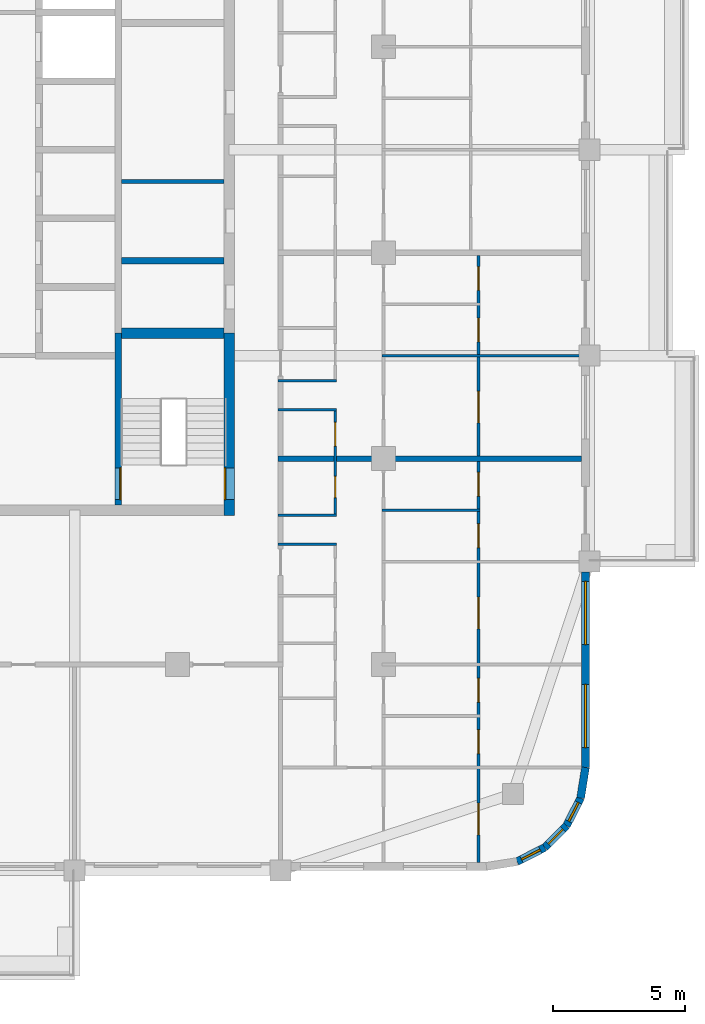
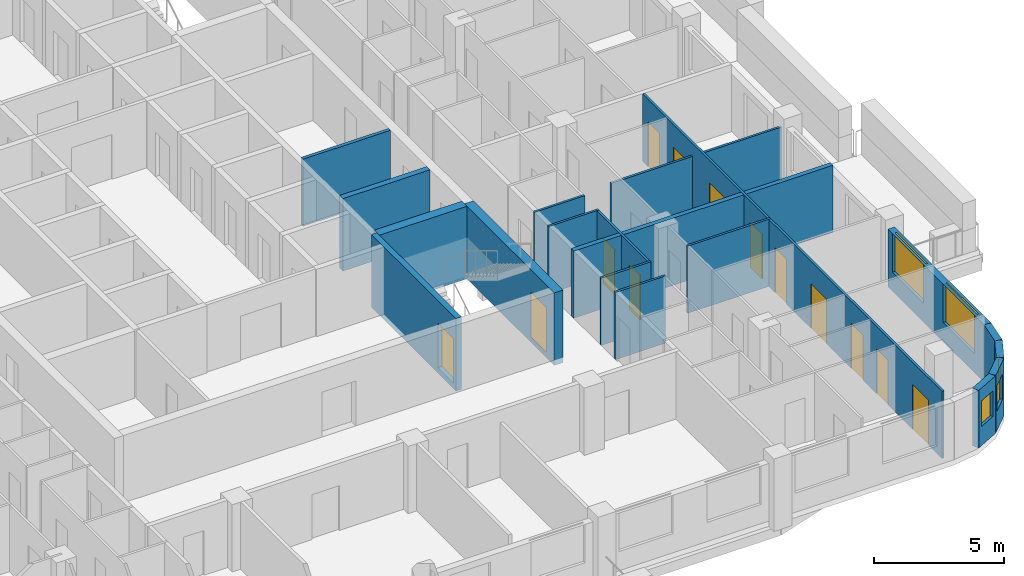
# One storey, part 6 of 16: 19 walls, 13 doors, 5 windows, 18 openings.
"""IFC4 building model written with IfcOpenShell, lengths in metres."""

from ifc_helpers import new_model, si_unit, direction, frame, frame_2d, origin, place, context, subcontext, project, spatial, rectangle, extrude, material, layer, layer_set, type_object, element, fill, save


model = new_model("IFC4")

# Units and contexts
model_context = context("Model", 3, precision=1e-05, world=origin(), true_north=direction((0.0, 1.0)))
body_context = subcontext(model_context, "Body", "Model", "MODEL_VIEW")
ifc_project = project(units=[si_unit("LENGTHUNIT", "METRE"), si_unit("AREAUNIT", "SQUARE_METRE"), si_unit("VOLUMEUNIT", "CUBIC_METRE"), si_unit("PLANEANGLEUNIT", "RADIAN"), si_unit("MASSUNIT", "GRAM", prefix="KILO")], contexts=[model_context])

# Site, building, storey
site_placement = place(None, origin())
site = spatial("IfcSite", under=ifc_project, at=site_placement, CompositionType="ELEMENT")
building_placement = place(site_placement, origin())
building = spatial("IfcBuilding", under=site, at=building_placement, Name="Ludao Terraces", CompositionType="ELEMENT")
storey_placement = place(building_placement, frame((0.0, 0.0, 217.699951171875)))
storey = spatial("IfcBuildingStorey", under=building, at=storey_placement, Name="L59", CompositionType="ELEMENT", Elevation=217.699951171875)

# Wall, opening, door
ifc_material_1 = material(Name="Concrete C50", Category="concrete")
ifc_layer_1 = layer(ifc_material_1, 0.39990234375)
ifc_layer_set_1 = layer_set([ifc_layer_1], Name="Core wall 400 C50")
wall_type_1 = type_object("IfcWallType", Name="Core wall 400 C50", PredefinedType="SOLIDWALL", material=ifc_layer_set_1)
wall_1_placement = place(storey_placement, frame((94.75, 55.050048828125, -0.25), z_axis=(0.0, 0.0, 1.0), x_axis=(0.0, 1.0, 0.0)))
wall_1 = element("IfcWall", 1, at=wall_1_placement, inside=storey, type_object=wall_type_1, Name="Core wall L59 outer-E-S3", PredefinedType="SOLIDWALL", context=body_context, shape_type="SweptSolid", body=[
    extrude(rectangle(XDim=6.89990234375, YDim=0.39990234375, at=frame_2d((3.449951171875, 0.0))), origin(), (0.0, 0.0, 1.0), 3.400146484375),
])
opening_1_placement = place(wall_1_placement, frame((0.60009765625, 0.0, 0.25)))
opening_1 = element("IfcOpeningElement", 2, at=opening_1_placement, cuts=wall_1, Name="Opening R21-039", PredefinedType="OPENING", context=body_context, shape_type="SweptSolid", body=[
    extrude(rectangle(XDim=1.199951171875, YDim=2.10009765625, at=frame_2d((0.60009765625, 1.050048828125))), frame((0.0, 0.2099609375, 0.0), z_axis=(0.0, -1.0, 0.0), x_axis=(1.0, 0.0, 0.0)), (0.0, 0.0, 1.0), 0.419921875),
])
ifc_material_2 = material(Name="Steel Q235", Category="steel")
door_type_1 = type_object("IfcDoorType", Name="INT Stair door 1200", OperationType="DOUBLE_DOOR_SINGLE_SWING", PredefinedType="DOOR", material=ifc_material_2)
door_1_placement = place(opening_1_placement, origin())
door_1 = element("IfcDoor", 3, at=door_1_placement, inside=storey, type_object=door_type_1, Name="DOOR 039", OperationType="DOUBLE_DOOR_SINGLE_SWING", OverallHeight=2.10009765625, OverallWidth=1.199951171875, PredefinedType="DOOR", context=body_context, shape_type="SweptSolid", body=[
    extrude(rectangle(XDim=1.199951171875, YDim=2.10009765625, at=frame_2d((0.60009765625, 1.050048828125))), frame((0.0, 0.18505859375, 0.0), z_axis=(0.0, -1.0, 0.0), x_axis=(1.0, 0.0, 0.0)), (0.0, 0.0, 1.0), 0.050048828125),
])
fill(opening_1, door_1)

# Wall, openings, windows
ifc_material_3 = material(Name="Granite cladding", Category="masonry")
ifc_layer_2 = layer(ifc_material_3, 0.0400390625, Category="stone")
ifc_material_4 = material(Name="Mineral wool")
ifc_layer_3 = layer(ifc_material_4, 0.06005859375)
ifc_material_5 = material(Name="Concrete C40", Category="concrete")
ifc_layer_4 = layer(ifc_material_5, 0.199951171875, Category="concrete")
ifc_layer_set_2 = layer_set([ifc_layer_2, ifc_layer_3, ifc_layer_4], Name="ENV Stone-clad wall 300")
wall_type_2 = type_object("IfcWallType", Name="ENV Stone-clad wall 300", PredefinedType="SOLIDWALL", material=ifc_layer_set_2)
wall_2_placement = place(storey_placement, frame((108.25, 45.5, 0.0), z_axis=(0.0, 0.0, 1.0), x_axis=(0.0, 1.0, 0.0)))
wall_2 = element("IfcWall", 4, at=wall_2_placement, inside=storey, type_object=wall_type_2, Name="EW-L59-E1", PredefinedType="SOLIDWALL", context=body_context, shape_type="SweptSolid", body=[
    extrude(rectangle(XDim=7.39990234375, YDim=0.300048828125, at=frame_2d((3.699951171875, 0.0))), origin(), (0.0, 0.0, 1.0), 2.699951171875),
])
opening_2_placement = place(wall_2_placement, frame((0.75, 0.0, 0.89990234375)))
opening_2 = element("IfcOpeningElement", 5, at=opening_2_placement, cuts=wall_2, Name="Opening W1", PredefinedType="OPENING", context=body_context, shape_type="SweptSolid", body=[
    extrude(rectangle(XDim=2.39990234375, YDim=1.800048828125, at=frame_2d((1.199951171875, 0.89990234375))), frame((0.0, 0.16015625, 0.0), z_axis=(0.0, -1.0, 0.0), x_axis=(1.0, 0.0, 0.0)), (0.0, 0.0, 1.0), 0.320068359375),
])
opening_3_placement = place(wall_2_placement, frame((4.64990234375, 0.0, 0.89990234375)))
opening_3 = element("IfcOpeningElement", 6, at=opening_3_placement, cuts=wall_2, Name="Opening W1", PredefinedType="OPENING", context=body_context, shape_type="SweptSolid", body=[
    extrude(rectangle(XDim=2.39990234375, YDim=1.800048828125, at=frame_2d((1.199951171875, 0.89990234375))), frame((0.0, 0.16015625, 0.0), z_axis=(0.0, -1.0, 0.0), x_axis=(1.0, 0.0, 0.0)), (0.0, 0.0, 1.0), 0.320068359375),
])
ifc_material_6 = material(Name="Clear glass in aluminium frame", Category="aluminium")
ifc_layer_5 = layer(ifc_material_6, 0.06005859375)
ifc_layer_set_3 = layer_set([ifc_layer_5], Name="ENV Window W1 2400x1800")
window_type_1 = type_object("IfcWindowType", Name="ENV Window W1 2400x1800", PartitioningType="DOUBLE_PANEL_VERTICAL", PredefinedType="WINDOW", material=ifc_layer_set_3)
window_1_placement = place(opening_2_placement, origin())
window_1 = element("IfcWindow", 7, at=window_1_placement, inside=storey, type_object=window_type_1, Name="W-L59-E1-1", OverallHeight=1.800048828125, OverallWidth=2.39990234375, PartitioningType="DOUBLE_PANEL_VERTICAL", PredefinedType="WINDOW", context=body_context, shape_type="SweptSolid", body=[
    extrude(rectangle(XDim=2.39990234375, YDim=1.800048828125, at=frame_2d((1.199951171875, 0.89990234375))), frame((0.0, 0.030029296875, 0.0), z_axis=(0.0, -1.0, 0.0), x_axis=(1.0, 0.0, 0.0)), (0.0, 0.0, 1.0), 0.06005859375),
])
fill(opening_2, window_1)
window_2_placement = place(opening_3_placement, origin())
window_2 = element("IfcWindow", 8, at=window_2_placement, inside=storey, type_object=window_type_1, Name="W-L59-E1-2", OverallHeight=1.800048828125, OverallWidth=2.39990234375, PartitioningType="DOUBLE_PANEL_VERTICAL", PredefinedType="WINDOW", context=body_context, shape_type="SweptSolid", body=[
    extrude(rectangle(XDim=2.39990234375, YDim=1.800048828125, at=frame_2d((1.199951171875, 0.89990234375))), frame((0.0, 0.030029296875, 0.0), z_axis=(0.0, -1.0, 0.0), x_axis=(1.0, 0.0, 0.0)), (0.0, 0.0, 1.0), 0.06005859375),
])
fill(opening_3, window_2)

# Wall, opening, window
wall_3_placement = place(storey_placement, frame((105.65869140625, 41.93359375, 0.0), z_axis=(0.0, 0.0, 1.0), x_axis=(0.890988677504, 0.454025524128, 0.0)))
wall_3 = element("IfcWall", 9, at=wall_3_placement, inside=storey, type_object=wall_type_2, Name="EW-L59-SE2", PredefinedType="SOLIDWALL", context=body_context, shape_type="SweptSolid", body=[
    extrude(rectangle(XDim=1.17333984375, YDim=0.300048828125, at=frame_2d((0.586669921875, 0.0))), origin(), (0.0, 0.0, 1.0), 2.699951171875),
])
opening_4_placement = place(wall_3_placement, frame((0.1865234375, 0.0, 0.89990234375)))
opening_4 = element("IfcOpeningElement", 10, at=opening_4_placement, cuts=wall_3, Name="Opening W3", PredefinedType="OPENING", context=body_context, shape_type="SweptSolid", body=[
    extrude(rectangle(XDim=0.800048828125, YDim=1.199951171875, at=frame_2d((0.39990234375, 0.60009765625))), frame((0.0, 0.16015625, 0.0), z_axis=(0.0, -1.0, 0.0), x_axis=(1.0, 0.0, 0.0)), (0.0, 0.0, 1.0), 0.320068359375),
])
ifc_layer_6 = layer(ifc_material_6, 0.06005859375)
ifc_layer_set_4 = layer_set([ifc_layer_6], Name="ENV Window W3 800x1200")
window_type_2 = type_object("IfcWindowType", Name="ENV Window W3 800x1200", PartitioningType="SINGLE_PANEL", PredefinedType="WINDOW", material=ifc_layer_set_4)
window_3_placement = place(opening_4_placement, origin())
window_3 = element("IfcWindow", 11, at=window_3_placement, inside=storey, type_object=window_type_2, Name="W-L59-SE2", OverallHeight=1.199951171875, OverallWidth=0.800048828125, PartitioningType="SINGLE_PANEL", PredefinedType="WINDOW", context=body_context, shape_type="SweptSolid", body=[
    extrude(rectangle(XDim=0.800048828125, YDim=1.199951171875, at=frame_2d((0.39990234375, 0.60009765625))), frame((0.0, 0.030029296875, 0.0), z_axis=(0.0, -1.0, 0.0), x_axis=(1.0, 0.0, 0.0)), (0.0, 0.0, 1.0), 0.06005859375),
])
fill(opening_4, window_3)

wall_4_placement = place(storey_placement, frame((106.7041015625, 42.46630859375, 0.0), z_axis=(0.0, 0.0, 1.0), x_axis=(0.707106781187, 0.707106781187, 0.0)))
wall_4 = element("IfcWall", 12, at=wall_4_placement, inside=storey, type_object=wall_type_2, Name="EW-L59-SE3", PredefinedType="SOLIDWALL", context=body_context, shape_type="SweptSolid", body=[
    extrude(rectangle(XDim=1.173095703125, YDim=0.300048828125, at=frame_2d((0.58642578125, 0.0))), origin(), (0.0, 0.0, 1.0), 2.699951171875),
])
opening_5_placement = place(wall_4_placement, frame((0.1865234375, 0.0, 0.89990234375)))
opening_5 = element("IfcOpeningElement", 13, at=opening_5_placement, cuts=wall_4, Name="Opening W3", PredefinedType="OPENING", context=body_context, shape_type="SweptSolid", body=[
    extrude(rectangle(XDim=0.800048828125, YDim=1.199951171875, at=frame_2d((0.39990234375, 0.60009765625))), frame((0.0, 0.16015625, 0.0), z_axis=(0.0, -1.0, 0.0), x_axis=(1.0, 0.0, 0.0)), (0.0, 0.0, 1.0), 0.320068359375),
])
window_4_placement = place(opening_5_placement, origin())
window_4 = element("IfcWindow", 14, at=window_4_placement, inside=storey, type_object=window_type_2, Name="W-L59-SE3", OverallHeight=1.199951171875, OverallWidth=0.800048828125, PartitioningType="SINGLE_PANEL", PredefinedType="WINDOW", context=body_context, shape_type="SweptSolid", body=[
    extrude(rectangle(XDim=0.800048828125, YDim=1.199951171875, at=frame_2d((0.39990234375, 0.60009765625))), frame((0.0, 0.030029296875, 0.0), z_axis=(0.0, -1.0, 0.0), x_axis=(1.0, 0.0, 0.0)), (0.0, 0.0, 1.0), 0.06005859375),
])
fill(opening_5, window_4)

wall_5_placement = place(storey_placement, frame((107.53369140625, 43.2958984375, 0.0), z_axis=(0.0, 0.0, 1.0), x_axis=(0.454025524128, 0.890988677504, 0.0)))
wall_5 = element("IfcWall", 15, at=wall_5_placement, inside=storey, type_object=wall_type_2, Name="EW-L59-SE4", PredefinedType="SOLIDWALL", context=body_context, shape_type="SweptSolid", body=[
    extrude(rectangle(XDim=1.17333984375, YDim=0.300048828125, at=frame_2d((0.586669921875, 0.0))), origin(), (0.0, 0.0, 1.0), 2.699951171875),
])
opening_6_placement = place(wall_5_placement, frame((0.1865234375, 0.0, 0.89990234375)))
opening_6 = element("IfcOpeningElement", 16, at=opening_6_placement, cuts=wall_5, Name="Opening W3", PredefinedType="OPENING", context=body_context, shape_type="SweptSolid", body=[
    extrude(rectangle(XDim=0.800048828125, YDim=1.199951171875, at=frame_2d((0.39990234375, 0.60009765625))), frame((0.0, 0.16015625, 0.0), z_axis=(0.0, -1.0, 0.0), x_axis=(1.0, 0.0, 0.0)), (0.0, 0.0, 1.0), 0.320068359375),
])
window_5_placement = place(opening_6_placement, origin())
window_5 = element("IfcWindow", 17, at=window_5_placement, inside=storey, type_object=window_type_2, Name="W-L59-SE4", OverallHeight=1.199951171875, OverallWidth=0.800048828125, PartitioningType="SINGLE_PANEL", PredefinedType="WINDOW", context=body_context, shape_type="SweptSolid", body=[
    extrude(rectangle(XDim=0.800048828125, YDim=1.199951171875, at=frame_2d((0.39990234375, 0.60009765625))), frame((0.0, 0.030029296875, 0.0), z_axis=(0.0, -1.0, 0.0), x_axis=(1.0, 0.0, 0.0)), (0.0, 0.0, 1.0), 0.06005859375),
])
fill(opening_6, window_5)

# Walls
wall_6_placement = place(storey_placement, frame((108.06640625, 44.34130859375, 0.0), z_axis=(0.0, 0.0, 1.0), x_axis=(0.156496880861, 0.987678452879, 0.0)))
element("IfcWall", 18, at=wall_6_placement, inside=storey, type_object=wall_type_2, Name="EW-L59-SE5", PredefinedType="SOLIDWALL", context=body_context, shape_type="SweptSolid", body=[
    extrude(rectangle(XDim=1.173095703125, YDim=0.300048828125, at=frame_2d((0.58642578125, 0.0))), origin(), (0.0, 0.0, 1.0), 2.699951171875),
])
ifc_material_7 = material(Name="Fire-rated gypsum plasterboard", Category="gypsum")
ifc_layer_7 = layer(ifc_material_7, 0.012451171875, Category="gypsum")
ifc_layer_8 = layer(ifc_material_4, 0.10009765625, Name="insulation")
ifc_layer_9 = layer(ifc_material_2, 0.02490234375, Name="stud")
ifc_layer_10 = layer(ifc_material_7, 0.012451171875, Category="gypsum")
ifc_layer_set_5 = layer_set([ifc_layer_7, ifc_layer_8, ifc_layer_9, ifc_layer_10], Name="INT Core partition 150")
wall_type_3 = type_object("IfcWallType", Name="INT Core partition 150", PredefinedType="PARTITIONING", material=ifc_layer_set_5)
wall_7_placement = place(storey_placement, frame((90.675048828125, 67.699951171875, 0.0), z_axis=(0.0, 0.0, 1.0), x_axis=(1.0, 0.0, 0.0)))
element("IfcWall", 19, at=wall_7_placement, inside=storey, type_object=wall_type_3, Name="PW-L59-PW035", PredefinedType="PARTITIONING", context=body_context, shape_type="SweptSolid", body=[
    extrude(rectangle(XDim=3.875, YDim=0.14990234375, at=frame_2d((1.9375, 0.0))), origin(), (0.0, 0.0, 1.0), 3.150146484375),
])
ifc_material_8 = material(Name="Gypsum plasterboard", Category="gypsum")
ifc_layer_11 = layer(ifc_material_8, 0.012451171875, Category="gypsum")
ifc_layer_12 = layer(ifc_material_4, 0.06005859375, Name="insulation")
ifc_layer_13 = layer(ifc_material_2, 0.014892578125, Name="stud")
ifc_layer_14 = layer(ifc_material_8, 0.012451171875, Category="gypsum")
ifc_layer_set_6 = layer_set([ifc_layer_11, ifc_layer_12, ifc_layer_13, ifc_layer_14], Name="INT Partition 100")
wall_type_4 = type_object("IfcWallType", Name="INT Partition 100", PredefinedType="PARTITIONING", material=ifc_layer_set_6)
for number, where, z_axis, x_axis, name in (
    (20, (96.60009765625, 53.949951171875, 0.0), (0.0, 0.0, 1.0), (1.0, 0.0, 0.0), "PW-L59-PW014"),
    (21, (96.60009765625, 55.050048828125, 0.0), (0.0, 0.0, 1.0), (1.0, 0.0, 0.0), "PW-L59-PW016"),
):
    element("IfcWall", number, at=place(storey_placement, frame(where, z_axis=z_axis, x_axis=x_axis)), inside=storey, type_object=wall_type_4, Name=name, PredefinedType="PARTITIONING", context=body_context, shape_type="SweptSolid", body=[
        extrude(rectangle(XDim=2.219970703125, YDim=0.10009765625, at=frame_2d((1.10986328125, 0.0))), origin(), (0.0, 0.0, 1.0), 3.150146484375),
    ])
wall_8_placement = place(storey_placement, frame((100.550048828125, 55.25, 0.0), z_axis=(0.0, 0.0, 1.0), x_axis=(1.0, 0.0, 0.0)))
element("IfcWall", 22, at=wall_8_placement, inside=storey, type_object=wall_type_4, Name="PW-L59-PW018", PredefinedType="PARTITIONING", context=body_context, shape_type="SweptSolid", body=[
    extrude(rectangle(XDim=3.699951171875, YDim=0.10009765625, at=frame_2d((1.85009765625, 0.0))), origin(), (0.0, 0.0, 1.0), 3.150146484375),
])
for number, where, z_axis, x_axis, name in (
    (23, (96.60009765625, 59.050048828125, 0.0), (0.0, 0.0, 1.0), (1.0, 0.0, 0.0), "PW-L59-PW023"),
    (24, (96.60009765625, 60.14990234375, 0.0), (0.0, 0.0, 1.0), (1.0, 0.0, 0.0), "PW-L59-PW025"),
):
    element("IfcWall", number, at=place(storey_placement, frame(where, z_axis=z_axis, x_axis=x_axis)), inside=storey, type_object=wall_type_4, Name=name, PredefinedType="PARTITIONING", context=body_context, shape_type="SweptSolid", body=[
        extrude(rectangle(XDim=2.219970703125, YDim=0.10009765625, at=frame_2d((1.10986328125, 0.0))), origin(), (0.0, 0.0, 1.0), 3.150146484375),
    ])
wall_9_placement = place(storey_placement, frame((100.550048828125, 61.10009765625, 0.0), z_axis=(0.0, 0.0, 1.0), x_axis=(1.0, 0.0, 0.0)))
element("IfcWall", 25, at=wall_9_placement, inside=storey, type_object=wall_type_4, Name="PW-L59-PW028", PredefinedType="PARTITIONING", context=body_context, shape_type="SweptSolid", body=[
    extrude(rectangle(XDim=7.550048828125, YDim=0.10009765625, at=frame_2d((3.77490234375, 0.0))), origin(), (0.0, 0.0, 1.0), 2.550048828125),
])

# Wall, openings, doors
wall_10_placement = place(storey_placement, frame((98.77001953125, 55.10009765625, 0.0), z_axis=(0.0, 0.0, 1.0), x_axis=(0.0, 1.0, 0.0)))
wall_10 = element("IfcWall", 26, at=wall_10_placement, inside=storey, type_object=wall_type_4, Name="PW-L59-PW093", PredefinedType="PARTITIONING", context=body_context, shape_type="SweptSolid", body=[
    extrude(rectangle(XDim=3.89990234375, YDim=0.10009765625, at=frame_2d((1.949951171875, 0.0))), origin(), (0.0, 0.0, 1.0), 3.150146484375),
])
opening_7_placement = place(wall_10_placement, frame((0.625, 0.0, 0.0)))
opening_7 = element("IfcOpeningElement", 27, at=opening_7_placement, cuts=wall_10, Name="Opening R21-035", PredefinedType="OPENING", context=body_context, shape_type="SweptSolid", body=[
    extrude(rectangle(XDim=0.800048828125, YDim=2.10009765625, at=frame_2d((0.39990234375, 1.050048828125))), frame((0.0, 0.06005859375, 0.0), z_axis=(0.0, -1.0, 0.0), x_axis=(1.0, 0.0, 0.0)), (0.0, 0.0, 1.0), 0.1201171875),
])
opening_8_placement = place(wall_10_placement, frame((2.574951171875, 0.0, 0.0)))
opening_8 = element("IfcOpeningElement", 28, at=opening_8_placement, cuts=wall_10, Name="Opening R21-041", PredefinedType="OPENING", context=body_context, shape_type="SweptSolid", body=[
    extrude(rectangle(XDim=0.89990234375, YDim=2.10009765625, at=frame_2d((0.449951171875, 1.050048828125))), frame((0.0, 0.06005859375, 0.0), z_axis=(0.0, -1.0, 0.0), x_axis=(1.0, 0.0, 0.0)), (0.0, 0.0, 1.0), 0.1201171875),
])
ifc_material_9 = material(Name="Timber door leaf", Category="wood")
door_type_2 = type_object("IfcDoorType", Name="INT Bathroom door 900", OperationType="SINGLE_SWING_LEFT", PredefinedType="DOOR", material=ifc_material_9)
door_2_placement = place(opening_8_placement, origin())
door_2 = element("IfcDoor", 29, at=door_2_placement, inside=storey, type_object=door_type_2, Name="DOOR 041", OperationType="SINGLE_SWING_LEFT", OverallHeight=2.10009765625, OverallWidth=0.89990234375, PredefinedType="DOOR", context=body_context, shape_type="SweptSolid", body=[
    extrude(rectangle(XDim=0.89990234375, YDim=2.10009765625, at=frame_2d((0.449951171875, 1.050048828125))), frame((0.0, 0.02490234375, 0.0), z_axis=(0.0, -1.0, 0.0), x_axis=(1.0, 0.0, 0.0)), (0.0, 0.0, 1.0), 0.050048828125),
])
fill(opening_8, door_2)
door_type_3 = type_object("IfcDoorType", Name="INT Store door 800", OperationType="SINGLE_SWING_LEFT", PredefinedType="DOOR", material=ifc_material_9)
door_3_placement = place(opening_7_placement, origin())
door_3 = element("IfcDoor", 30, at=door_3_placement, inside=storey, type_object=door_type_3, Name="DOOR 035", OperationType="SINGLE_SWING_RIGHT", OverallHeight=2.10009765625, OverallWidth=0.800048828125, PredefinedType="DOOR", context=body_context, shape_type="SweptSolid", body=[
    extrude(rectangle(XDim=0.800048828125, YDim=2.10009765625, at=frame_2d((0.39990234375, 1.050048828125))), frame((0.0, 0.02490234375, 0.0), z_axis=(0.0, -1.0, 0.0), x_axis=(1.0, 0.0, 0.0)), (0.0, 0.0, 1.0), 0.050048828125),
])
fill(opening_7, door_3)

wall_11_placement = place(storey_placement, frame((104.199951171875, 41.900146484375, 0.0), z_axis=(0.0, 0.0, 1.0), x_axis=(0.0, 1.0, 0.0)))
wall_11 = element("IfcWall", 31, at=wall_11_placement, inside=storey, type_object=wall_type_4, Name="PW-L59-PW099", PredefinedType="PARTITIONING", context=body_context, shape_type="SweptSolid", body=[
    extrude(rectangle(XDim=23.0, YDim=0.10009765625, at=frame_2d((11.5, 0.0))), origin(), (0.0, 0.0, 1.0), 3.150146484375),
])
opening_9_placement = place(wall_11_placement, frame((1.050048828125, 0.0, 0.0)))
opening_9 = element("IfcOpeningElement", 32, at=opening_9_placement, cuts=wall_11, Name="Opening R21-004", PredefinedType="OPENING", context=body_context, shape_type="SweptSolid", body=[
    extrude(rectangle(XDim=1.199951171875, YDim=2.10009765625, at=frame_2d((0.60009765625, 1.050048828125))), frame((0.0, 0.06005859375, 0.0), z_axis=(0.0, -1.0, 0.0), x_axis=(1.0, 0.0, 0.0)), (0.0, 0.0, 1.0), 0.1201171875),
])
opening_10_placement = place(wall_11_placement, frame((4.125, 0.0, 0.0)))
opening_10 = element("IfcOpeningElement", 33, at=opening_10_placement, cuts=wall_11, Name="Opening R21-008", PredefinedType="OPENING", context=body_context, shape_type="SweptSolid", body=[
    extrude(rectangle(XDim=0.89990234375, YDim=2.10009765625, at=frame_2d((0.449951171875, 1.050048828125))), frame((0.0, 0.06005859375, 0.0), z_axis=(0.0, -1.0, 0.0), x_axis=(1.0, 0.0, 0.0)), (0.0, 0.0, 1.0), 0.1201171875),
])
opening_11_placement = place(wall_11_placement, frame((6.074951171875, 0.0, 0.0)))
opening_11 = element("IfcOpeningElement", 34, at=opening_11_placement, cuts=wall_11, Name="Opening R21-014", PredefinedType="OPENING", context=body_context, shape_type="SweptSolid", body=[
    extrude(rectangle(XDim=0.89990234375, YDim=2.10009765625, at=frame_2d((0.449951171875, 1.050048828125))), frame((0.0, 0.06005859375, 0.0), z_axis=(0.0, -1.0, 0.0), x_axis=(1.0, 0.0, 0.0)), (0.0, 0.0, 1.0), 0.1201171875),
])
opening_12_placement = place(wall_11_placement, frame((8.85009765625, 0.0, 0.0)))
opening_12 = element("IfcOpeningElement", 35, at=opening_12_placement, cuts=wall_11, Name="Opening R21-025", PredefinedType="OPENING", context=body_context, shape_type="SweptSolid", body=[
    extrude(rectangle(XDim=1.199951171875, YDim=2.10009765625, at=frame_2d((0.60009765625, 1.050048828125))), frame((0.0, 0.06005859375, 0.0), z_axis=(0.0, -1.0, 0.0), x_axis=(1.0, 0.0, 0.0)), (0.0, 0.0, 1.0), 0.1201171875),
])
opening_13_placement = place(wall_11_placement, frame((11.925048828125, 0.0, 0.0)))
opening_13 = element("IfcOpeningElement", 36, at=opening_13_placement, cuts=wall_11, Name="Opening R21-030", PredefinedType="OPENING", context=body_context, shape_type="SweptSolid", body=[
    extrude(rectangle(XDim=0.89990234375, YDim=2.10009765625, at=frame_2d((0.449951171875, 1.050048828125))), frame((0.0, 0.06005859375, 0.0), z_axis=(0.0, -1.0, 0.0), x_axis=(1.0, 0.0, 0.0)), (0.0, 0.0, 1.0), 0.1201171875),
])
opening_14_placement = place(wall_11_placement, frame((13.875, 0.0, 0.0)))
opening_14 = element("IfcOpeningElement", 37, at=opening_14_placement, cuts=wall_11, Name="Opening R21-037", PredefinedType="OPENING", context=body_context, shape_type="SweptSolid", body=[
    extrude(rectangle(XDim=0.89990234375, YDim=2.10009765625, at=frame_2d((0.449951171875, 1.050048828125))), frame((0.0, 0.06005859375, 0.0), z_axis=(0.0, -1.0, 0.0), x_axis=(1.0, 0.0, 0.0)), (0.0, 0.0, 1.0), 0.1201171875),
])
opening_15_placement = place(wall_11_placement, frame((16.64990234375, 0.0, 0.0)))
opening_15 = element("IfcOpeningElement", 38, at=opening_15_placement, cuts=wall_11, Name="Opening R21-045", PredefinedType="OPENING", context=body_context, shape_type="SweptSolid", body=[
    extrude(rectangle(XDim=1.199951171875, YDim=2.10009765625, at=frame_2d((0.60009765625, 1.050048828125))), frame((0.0, 0.06005859375, 0.0), z_axis=(0.0, -1.0, 0.0), x_axis=(1.0, 0.0, 0.0)), (0.0, 0.0, 1.0), 0.1201171875),
])
opening_16_placement = place(wall_11_placement, frame((19.72509765625, 0.0, 0.0)))
opening_16 = element("IfcOpeningElement", 39, at=opening_16_placement, cuts=wall_11, Name="Opening R21-052", PredefinedType="OPENING", context=body_context, shape_type="SweptSolid", body=[
    extrude(rectangle(XDim=0.89990234375, YDim=2.10009765625, at=frame_2d((0.449951171875, 1.050048828125))), frame((0.0, 0.06005859375, 0.0), z_axis=(0.0, -1.0, 0.0), x_axis=(1.0, 0.0, 0.0)), (0.0, 0.0, 1.0), 0.1201171875),
])
opening_17_placement = place(wall_11_placement, frame((21.675048828125, 0.0, 0.0)))
opening_17 = element("IfcOpeningElement", 40, at=opening_17_placement, cuts=wall_11, Name="Opening R21-062", PredefinedType="OPENING", context=body_context, shape_type="SweptSolid", body=[
    extrude(rectangle(XDim=0.89990234375, YDim=2.10009765625, at=frame_2d((0.449951171875, 1.050048828125))), frame((0.0, 0.06005859375, 0.0), z_axis=(0.0, -1.0, 0.0), x_axis=(1.0, 0.0, 0.0)), (0.0, 0.0, 1.0), 0.1201171875),
])
door_4_placement = place(opening_10_placement, origin())
door_4 = element("IfcDoor", 41, at=door_4_placement, inside=storey, type_object=door_type_2, Name="DOOR 008", OperationType="SINGLE_SWING_LEFT", OverallHeight=2.10009765625, OverallWidth=0.89990234375, PredefinedType="DOOR", context=body_context, shape_type="SweptSolid", body=[
    extrude(rectangle(XDim=0.89990234375, YDim=2.10009765625, at=frame_2d((0.449951171875, 1.050048828125))), frame((0.0, 0.02490234375, 0.0), z_axis=(0.0, -1.0, 0.0), x_axis=(1.0, 0.0, 0.0)), (0.0, 0.0, 1.0), 0.050048828125),
])
fill(opening_10, door_4)
door_5_placement = place(opening_13_placement, origin())
door_5 = element("IfcDoor", 42, at=door_5_placement, inside=storey, type_object=door_type_2, Name="DOOR 030", OperationType="SINGLE_SWING_LEFT", OverallHeight=2.10009765625, OverallWidth=0.89990234375, PredefinedType="DOOR", context=body_context, shape_type="SweptSolid", body=[
    extrude(rectangle(XDim=0.89990234375, YDim=2.10009765625, at=frame_2d((0.449951171875, 1.050048828125))), frame((0.0, 0.02490234375, 0.0), z_axis=(0.0, -1.0, 0.0), x_axis=(1.0, 0.0, 0.0)), (0.0, 0.0, 1.0), 0.050048828125),
])
fill(opening_13, door_5)
door_6_placement = place(opening_16_placement, origin())
door_6 = element("IfcDoor", 43, at=door_6_placement, inside=storey, type_object=door_type_2, Name="DOOR 052", OperationType="SINGLE_SWING_LEFT", OverallHeight=2.10009765625, OverallWidth=0.89990234375, PredefinedType="DOOR", context=body_context, shape_type="SweptSolid", body=[
    extrude(rectangle(XDim=0.89990234375, YDim=2.10009765625, at=frame_2d((0.449951171875, 1.050048828125))), frame((0.0, 0.02490234375, 0.0), z_axis=(0.0, -1.0, 0.0), x_axis=(1.0, 0.0, 0.0)), (0.0, 0.0, 1.0), 0.050048828125),
])
fill(opening_16, door_6)
door_type_4 = type_object("IfcDoorType", Name="INT Double door 1200", OperationType="DOUBLE_DOOR_SINGLE_SWING", PredefinedType="DOOR", material=ifc_material_9)
door_7_placement = place(opening_9_placement, origin())
door_7 = element("IfcDoor", 44, at=door_7_placement, inside=storey, type_object=door_type_4, Name="DOOR 004", OperationType="DOUBLE_DOOR_SINGLE_SWING", OverallHeight=2.10009765625, OverallWidth=1.199951171875, PredefinedType="DOOR", context=body_context, shape_type="SweptSolid", body=[
    extrude(rectangle(XDim=1.199951171875, YDim=2.10009765625, at=frame_2d((0.60009765625, 1.050048828125))), frame((0.0, 0.02490234375, 0.0), z_axis=(0.0, -1.0, 0.0), x_axis=(1.0, 0.0, 0.0)), (0.0, 0.0, 1.0), 0.050048828125),
])
fill(opening_9, door_7)
door_8_placement = place(opening_12_placement, origin())
door_8 = element("IfcDoor", 45, at=door_8_placement, inside=storey, type_object=door_type_4, Name="DOOR 025", OperationType="DOUBLE_DOOR_SINGLE_SWING", OverallHeight=2.10009765625, OverallWidth=1.199951171875, PredefinedType="DOOR", context=body_context, shape_type="SweptSolid", body=[
    extrude(rectangle(XDim=1.199951171875, YDim=2.10009765625, at=frame_2d((0.60009765625, 1.050048828125))), frame((0.0, 0.02490234375, 0.0), z_axis=(0.0, -1.0, 0.0), x_axis=(1.0, 0.0, 0.0)), (0.0, 0.0, 1.0), 0.050048828125),
])
fill(opening_12, door_8)
door_9_placement = place(opening_15_placement, origin())
door_9 = element("IfcDoor", 46, at=door_9_placement, inside=storey, type_object=door_type_4, Name="DOOR 045", OperationType="DOUBLE_DOOR_SINGLE_SWING", OverallHeight=2.10009765625, OverallWidth=1.199951171875, PredefinedType="DOOR", context=body_context, shape_type="SweptSolid", body=[
    extrude(rectangle(XDim=1.199951171875, YDim=2.10009765625, at=frame_2d((0.60009765625, 1.050048828125))), frame((0.0, 0.02490234375, 0.0), z_axis=(0.0, -1.0, 0.0), x_axis=(1.0, 0.0, 0.0)), (0.0, 0.0, 1.0), 0.050048828125),
])
fill(opening_15, door_9)
door_type_5 = type_object("IfcDoorType", Name="INT Room door 900", OperationType="SINGLE_SWING_LEFT", PredefinedType="DOOR", material=ifc_material_9)
door_10_placement = place(opening_11_placement, origin())
door_10 = element("IfcDoor", 47, at=door_10_placement, inside=storey, type_object=door_type_5, Name="DOOR 014", OperationType="SINGLE_SWING_RIGHT", OverallHeight=2.10009765625, OverallWidth=0.89990234375, PredefinedType="DOOR", context=body_context, shape_type="SweptSolid", body=[
    extrude(rectangle(XDim=0.89990234375, YDim=2.10009765625, at=frame_2d((0.449951171875, 1.050048828125))), frame((0.0, 0.02490234375, 0.0), z_axis=(0.0, -1.0, 0.0), x_axis=(1.0, 0.0, 0.0)), (0.0, 0.0, 1.0), 0.050048828125),
])
fill(opening_11, door_10)
door_11_placement = place(opening_14_placement, origin())
door_11 = element("IfcDoor", 48, at=door_11_placement, inside=storey, type_object=door_type_5, Name="DOOR 037", OperationType="SINGLE_SWING_RIGHT", OverallHeight=2.10009765625, OverallWidth=0.89990234375, PredefinedType="DOOR", context=body_context, shape_type="SweptSolid", body=[
    extrude(rectangle(XDim=0.89990234375, YDim=2.10009765625, at=frame_2d((0.449951171875, 1.050048828125))), frame((0.0, 0.02490234375, 0.0), z_axis=(0.0, -1.0, 0.0), x_axis=(1.0, 0.0, 0.0)), (0.0, 0.0, 1.0), 0.050048828125),
])
fill(opening_14, door_11)
door_12_placement = place(opening_17_placement, origin())
door_12 = element("IfcDoor", 49, at=door_12_placement, inside=storey, type_object=door_type_5, Name="DOOR 062", OperationType="SINGLE_SWING_RIGHT", OverallHeight=2.10009765625, OverallWidth=0.89990234375, PredefinedType="DOOR", context=body_context, shape_type="SweptSolid", body=[
    extrude(rectangle(XDim=0.89990234375, YDim=2.10009765625, at=frame_2d((0.449951171875, 1.050048828125))), frame((0.0, 0.02490234375, 0.0), z_axis=(0.0, -1.0, 0.0), x_axis=(1.0, 0.0, 0.0)), (0.0, 0.0, 1.0), 0.050048828125),
])
fill(opening_17, door_12)

# Wall
ifc_material_10 = material(Name="Autoclaved aerated concrete block B06 A3.5", Category="concrete")
ifc_layer_15 = layer(ifc_material_10, 0.199951171875)
ifc_layer_set_7 = layer_set([ifc_layer_15], Name="INT Party wall 200")
wall_type_5 = type_object("IfcWallType", Name="INT Party wall 200", PredefinedType="PARTITIONING", material=ifc_layer_set_7)
wall_12_placement = place(storey_placement, frame((96.60009765625, 57.199951171875, 0.0), z_axis=(0.0, 0.0, 1.0), x_axis=(1.0, 0.0, 0.0)))
element("IfcWall", 50, at=wall_12_placement, inside=storey, type_object=wall_type_5, Name="PW-L59-PW021", PredefinedType="PARTITIONING", context=body_context, shape_type="SweptSolid", body=[
    extrude(rectangle(XDim=11.5, YDim=0.199951171875, at=frame_2d((5.75, 0.0))), origin(), (0.0, 0.0, 1.0), 3.150146484375),
])

# Wall, opening, door
ifc_layer_16 = layer(ifc_material_1, 0.25)
ifc_layer_set_8 = layer_set([ifc_layer_16], Name="Shaft wall 250 C50")
wall_type_6 = type_object("IfcWallType", Name="Shaft wall 250 C50", PredefinedType="SOLIDWALL", material=ifc_layer_set_8)
wall_13_placement = place(storey_placement, frame((90.550048828125, 55.449951171875, -0.25), z_axis=(0.0, 0.0, 1.0), x_axis=(0.0, 1.0, 0.0)))
wall_13 = element("IfcWall", 51, at=wall_13_placement, inside=storey, type_object=wall_type_6, Name="Core wall L59 back-E-S3", PredefinedType="SOLIDWALL", context=body_context, shape_type="SweptSolid", body=[
    extrude(rectangle(XDim=6.5, YDim=0.25, at=frame_2d((3.25, 0.0))), origin(), (0.0, 0.0, 1.0), 3.400146484375),
])
opening_18_placement = place(wall_13_placement, frame((0.199951171875, 0.0, 0.25)))
opening_18 = element("IfcOpeningElement", 52, at=opening_18_placement, cuts=wall_13, Name="Opening R21-038", PredefinedType="OPENING", context=body_context, shape_type="SweptSolid", body=[
    extrude(rectangle(XDim=1.199951171875, YDim=2.10009765625, at=frame_2d((0.60009765625, 1.050048828125))), frame((0.0, 0.135009765625, 0.0), z_axis=(0.0, -1.0, 0.0), x_axis=(1.0, 0.0, 0.0)), (0.0, 0.0, 1.0), 0.27001953125),
])
door_13_placement = place(opening_18_placement, origin())
door_13 = element("IfcDoor", 53, at=door_13_placement, inside=storey, type_object=door_type_1, Name="DOOR 038", OperationType="DOUBLE_DOOR_SINGLE_SWING", OverallHeight=2.10009765625, OverallWidth=1.199951171875, PredefinedType="DOOR", context=body_context, shape_type="SweptSolid", body=[
    extrude(rectangle(XDim=1.199951171875, YDim=2.10009765625, at=frame_2d((0.60009765625, 1.050048828125))), frame((0.0, -0.06005859375, 0.0), z_axis=(0.0, -1.0, 0.0), x_axis=(1.0, 0.0, 0.0)), (0.0, 0.0, 1.0), 0.050048828125),
])
fill(opening_18, door_13)

# Walls
wall_14_placement = place(storey_placement, frame((90.675048828125, 64.699951171875, -0.25), z_axis=(0.0, 0.0, 1.0), x_axis=(1.0, 0.0, 0.0)))
element("IfcWall", 54, at=wall_14_placement, inside=storey, type_object=wall_type_6, Name="Core wall L59 riser-a-E", PredefinedType="SOLIDWALL", context=body_context, shape_type="SweptSolid", body=[
    extrude(rectangle(XDim=3.875, YDim=0.25, at=frame_2d((1.9375, 0.0))), origin(), (0.0, 0.0, 1.0), 3.400146484375),
])
ifc_layer_17 = layer(ifc_material_1, 0.39990234375)
ifc_layer_set_9 = layer_set([ifc_layer_17], Name="Shaft wall 400 C50")
wall_type_7 = type_object("IfcWallType", Name="Shaft wall 400 C50", PredefinedType="SOLIDWALL", material=ifc_layer_set_9)
wall_15_placement = place(storey_placement, frame((90.675048828125, 61.949951171875, -0.25), z_axis=(0.0, 0.0, 1.0), x_axis=(1.0, 0.0, 0.0)))
element("IfcWall", 55, at=wall_15_placement, inside=storey, type_object=wall_type_7, Name="Core wall L59 hall-E", PredefinedType="SOLIDWALL", context=body_context, shape_type="SweptSolid", body=[
    extrude(rectangle(XDim=3.875, YDim=0.39990234375, at=frame_2d((1.9375, 0.0))), origin(), (0.0, 0.0, 1.0), 3.400146484375),
])

save(model, "model.ifc")
